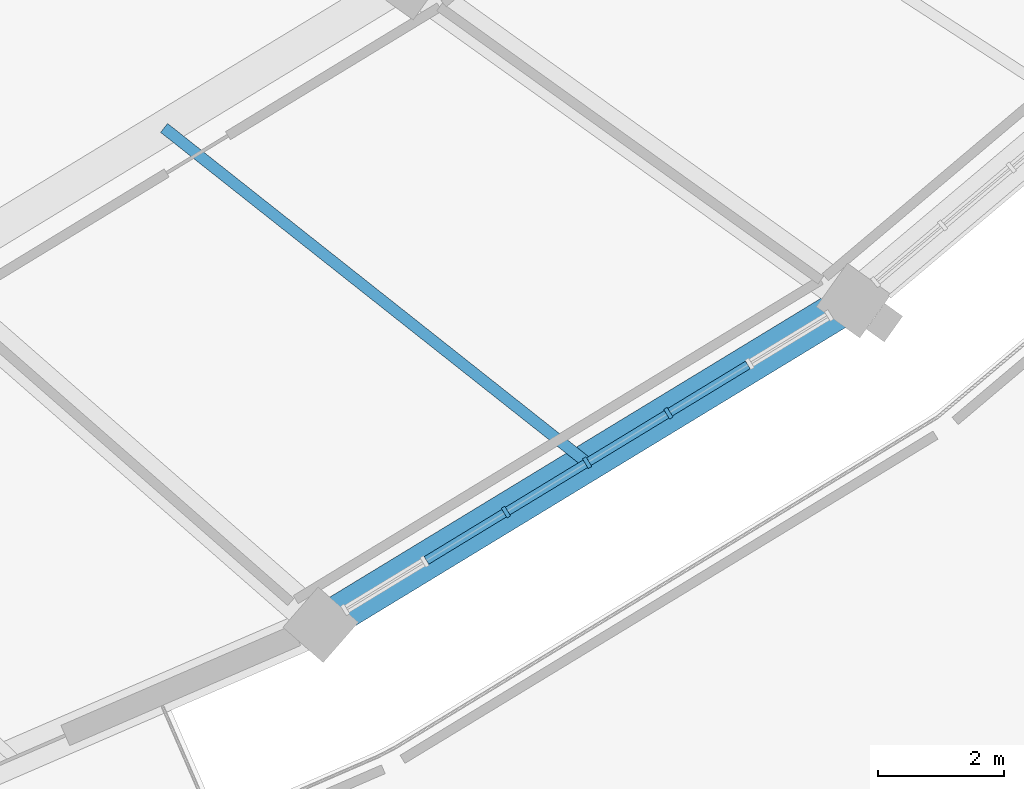
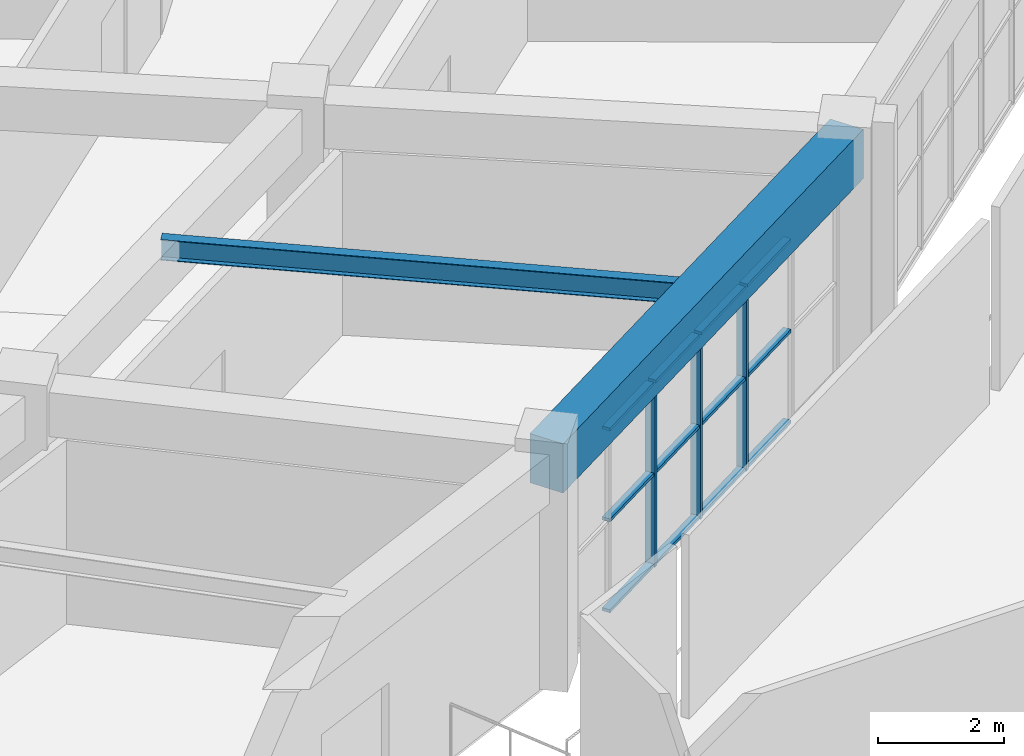
# One storey, part 39 of 152: 15 members, 2 beams, 1 element without a shape of its own.
"""IFC4 building model written with IfcOpenShell, lengths in metres."""

from ifc_helpers import new_model, si_unit, direction, frame, origin, origin_2d, place, context, subcontext, project, spatial, rectangle, i_section, extrude, material, layer, layer_set, material_profile, profile_set, type_object, element, aggregate, save


model = new_model("IFC4")

# Units and contexts
model_context = context("Model", 3, precision=1e-05, world=origin(), true_north=direction((0.0, 1.0)))
body_context = subcontext(model_context, "Body", "Model", "MODEL_VIEW")
ifc_project = project(units=[si_unit("LENGTHUNIT", "METRE"), si_unit("AREAUNIT", "SQUARE_METRE"), si_unit("VOLUMEUNIT", "CUBIC_METRE"), si_unit("PLANEANGLEUNIT", "RADIAN"), si_unit("MASSUNIT", "GRAM", prefix="KILO")], contexts=[model_context])

# Site, building, storey
site_placement = place(None, origin())
site = spatial("IfcSite", under=ifc_project, at=site_placement, CompositionType="ELEMENT")
building_placement = place(site_placement, origin())
building = spatial("IfcBuilding", under=site, at=building_placement, Name="Mphavela Belvedere Stadium", CompositionType="ELEMENT")
storey_placement = place(building_placement, frame((0.0, 0.0, 5.39990234375)))
storey = spatial("IfcBuildingStorey", under=building, at=storey_placement, Name="L01", CompositionType="ELEMENT", Elevation=5.39990234375)

# Beams
ifc_material_1 = material(Name="Concrete C40/50", Category="concrete")
ifc_material_profile_1 = material_profile(ifc_material_1, rectangle(XDim=0.60009765625, YDim=0.949951171875, at=origin_2d()), Name="RC 600x950")
ifc_profile_set_1 = profile_set([ifc_material_profile_1], Name="Concrete C40/50")
beam_type_1 = type_object("IfcBeamType", Name="BM-ENTABLATURE-950", PredefinedType="SPANDREL", material=ifc_profile_set_1)
beam_1_placement = place(storey_placement, frame((185.6962890625, 25.13916015625, 4.0751953125), z_axis=(0.854326607994, 0.51973651678, 0.0), x_axis=(-0.51973651678, 0.854326607994, 0.0)))
element("IfcBeam", 1, at=beam_1_placement, inside=storey, type_object=beam_type_1, Name="Circumferential girder L01 R4-42", PredefinedType="SPANDREL", context=body_context, shape_type="SweptSolid", body=[
    extrude(rectangle(XDim=0.60009765625, YDim=0.949951171875, at=origin_2d()), origin(), (0.0, 0.0, 1.0), 9.901611328125),
])
ifc_material_2 = material(Name="Steel S355", Category="steel")
ifc_material_profile_2 = material_profile(ifc_material_2, i_section(OverallWidth=0.179931640625, OverallDepth=0.39990234375, WebThickness=0.008544921875, FlangeThickness=0.013427734375, at=origin_2d()), Name="IPE 400")
ifc_profile_set_2 = profile_set([ifc_material_profile_2], Name="Steel S355")
beam_type_2 = type_object("IfcBeamType", Name="BM-JOIST-IPE400", PredefinedType="JOIST", material=ifc_profile_set_2)
beam_2_placement = place(storey_placement, frame((183.210693359375, 33.02587890625, 4.35009765625), z_axis=(0.784195537739, -0.620513785979, 0.0), x_axis=(0.620513785979, 0.784195537739, 0.0)))
element("IfcBeam", 2, at=beam_2_placement, inside=storey, type_object=beam_type_2, Name="Concourse floor joist L01-42", PredefinedType="JOIST", context=body_context, shape_type="SweptSolid", body=[
    extrude(i_section(OverallWidth=0.179931640625, OverallDepth=0.39990234375, WebThickness=0.008544921875, FlangeThickness=0.013427734375, at=origin_2d()), origin(), (0.0, 0.0, 1.0), 8.56298828125),
])

# Curtain wall, members
ifc_material_3 = material(Name="Anodised bronze unitised curtain wall framing")
ifc_layer = layer(ifc_material_3, 0.18505859375)
ifc_layer_set = layer_set([ifc_layer], Name="Anodised bronze unitised curtain wall framing")
curtain_wall_type = type_object("IfcCurtainWallType", Name="CW-UNIT-02", PredefinedType="USERDEFINED", material=ifc_layer_set)
curtain_wall_placement = place(storey_placement, origin())
curtain_wall = element("IfcCurtainWall", 3, at=curtain_wall_placement, inside=storey, type_object=curtain_wall_type, Name="Belvedere colonnade curtain wall L01-42", ObjectType="UNITISED CURTAIN WALL", PredefinedType="USERDEFINED")
ifc_material_4 = material(Name="Anodised bronze extruded aluminium", Category="aluminium")
ifc_material_profile_3 = material_profile(ifc_material_4, rectangle(XDim=0.179931640625, YDim=0.06494140625, at=origin_2d()), Name="CW-MUL 180x65")
ifc_profile_set_3 = profile_set([ifc_material_profile_3], Name="Anodised bronze extruded aluminium")
member_type_1 = type_object("IfcMemberType", Name="CWM-180x65", PredefinedType="MULLION", material=ifc_profile_set_3)
member_1_placement = place(storey_placement, frame((188.636474609375, 26.927978515625, 0.0), z_axis=(0.0, 0.0, 1.0), x_axis=(-0.51973463728, 0.8543277514, 0.0)))
member_1 = element("IfcMember", 4, at=member_1_placement, type_object=member_type_1, Name="CW-02 mullion 3", PredefinedType="MULLION", context=body_context, shape_type="SweptSolid", body=[
    extrude(rectangle(XDim=0.179931640625, YDim=0.06494140625, at=origin_2d()), origin(), (0.0, 0.0, 1.0), 3.570068359375),
])
member_2_placement = place(storey_placement, frame((189.92578125, 27.71240234375, 0.0), z_axis=(0.0, 0.0, 1.0), x_axis=(-0.51973463728, 0.8543277514, 0.0)))
member_2 = element("IfcMember", 5, at=member_2_placement, type_object=member_type_1, Name="CW-02 mullion 4", PredefinedType="MULLION", context=body_context, shape_type="SweptSolid", body=[
    extrude(rectangle(XDim=0.179931640625, YDim=0.06494140625, at=origin_2d()), origin(), (0.0, 0.0, 1.0), 3.570068359375),
])
member_3_placement = place(storey_placement, frame((191.21533203125, 28.496826171875, 0.0), z_axis=(0.0, 0.0, 1.0), x_axis=(-0.51973463728, 0.8543277514, 0.0)))
member_3 = element("IfcMember", 6, at=member_3_placement, type_object=member_type_1, Name="CW-02 mullion 5", PredefinedType="MULLION", context=body_context, shape_type="SweptSolid", body=[
    extrude(rectangle(XDim=0.179931640625, YDim=0.06494140625, at=origin_2d()), origin(), (0.0, 0.0, 1.0), 3.570068359375),
])
ifc_material_5 = material(Name="Anodised bronze extruded aluminium", Category="aluminium")
ifc_material_profile_4 = material_profile(ifc_material_5, rectangle(XDim=0.139892578125, YDim=0.06005859375, at=origin_2d()), Name="CW-TRN 140x60")
ifc_profile_set_4 = profile_set([ifc_material_profile_4], Name="Anodised bronze extruded aluminium")
member_type_2 = type_object("IfcMemberType", Name="CWT-140x60", PredefinedType="USERDEFINED", material=ifc_profile_set_4)
member_4_placement = place(storey_placement, frame((187.374755859375, 26.160400390625, 0.030029296875), z_axis=(0.85437478406, 0.519657318203, 0.0), x_axis=(-0.519657318203, 0.85437478406, 0.0)))
member_4 = element("IfcMember", 7, at=member_4_placement, type_object=member_type_2, Name="CW-02 transom 2.1", ObjectType="TRANSOM", PredefinedType="USERDEFINED", context=body_context, shape_type="SweptSolid", body=[
    extrude(rectangle(XDim=0.139892578125, YDim=0.06005859375, at=origin_2d()), origin(), (0.0, 0.0, 1.0), 1.444091796875),
])
member_5_placement = place(storey_placement, frame((187.374755859375, 26.160400390625, 1.78515625), z_axis=(0.85437478406, 0.519657318203, 0.0), x_axis=(-0.519657318203, 0.85437478406, 0.0)))
member_5 = element("IfcMember", 8, at=member_5_placement, type_object=member_type_2, Name="CW-02 transom 2.2", ObjectType="TRANSOM", PredefinedType="USERDEFINED", context=body_context, shape_type="SweptSolid", body=[
    extrude(rectangle(XDim=0.139892578125, YDim=0.06005859375, at=origin_2d()), origin(), (0.0, 0.0, 1.0), 1.444091796875),
])
member_6_placement = place(storey_placement, frame((187.374755859375, 26.160400390625, 3.5400390625), z_axis=(0.85437478406, 0.519657318203, 0.0), x_axis=(-0.519657318203, 0.85437478406, 0.0)))
member_6 = element("IfcMember", 9, at=member_6_placement, type_object=member_type_2, Name="CW-02 transom 2.3", ObjectType="TRANSOM", PredefinedType="USERDEFINED", context=body_context, shape_type="SweptSolid", body=[
    extrude(rectangle(XDim=0.139892578125, YDim=0.06005859375, at=origin_2d()), origin(), (0.0, 0.0, 1.0), 1.444091796875),
])
member_7_placement = place(storey_placement, frame((188.664306640625, 26.94482421875, 0.030029296875), z_axis=(0.85437478406, 0.519657318203, 0.0), x_axis=(-0.519657318203, 0.85437478406, 0.0)))
member_7 = element("IfcMember", 10, at=member_7_placement, type_object=member_type_2, Name="CW-02 transom 3.1", ObjectType="TRANSOM", PredefinedType="USERDEFINED", context=body_context, shape_type="SweptSolid", body=[
    extrude(rectangle(XDim=0.139892578125, YDim=0.06005859375, at=origin_2d()), origin(), (0.0, 0.0, 1.0), 1.444091796875),
])
member_8_placement = place(storey_placement, frame((188.664306640625, 26.94482421875, 1.78515625), z_axis=(0.85437478406, 0.519657318203, 0.0), x_axis=(-0.519657318203, 0.85437478406, 0.0)))
member_8 = element("IfcMember", 11, at=member_8_placement, type_object=member_type_2, Name="CW-02 transom 3.2", ObjectType="TRANSOM", PredefinedType="USERDEFINED", context=body_context, shape_type="SweptSolid", body=[
    extrude(rectangle(XDim=0.139892578125, YDim=0.06005859375, at=origin_2d()), origin(), (0.0, 0.0, 1.0), 1.444091796875),
])
member_9_placement = place(storey_placement, frame((188.664306640625, 26.94482421875, 3.5400390625), z_axis=(0.85437478406, 0.519657318203, 0.0), x_axis=(-0.519657318203, 0.85437478406, 0.0)))
member_9 = element("IfcMember", 12, at=member_9_placement, type_object=member_type_2, Name="CW-02 transom 3.3", ObjectType="TRANSOM", PredefinedType="USERDEFINED", context=body_context, shape_type="SweptSolid", body=[
    extrude(rectangle(XDim=0.139892578125, YDim=0.06005859375, at=origin_2d()), origin(), (0.0, 0.0, 1.0), 1.444091796875),
])
member_10_placement = place(storey_placement, frame((189.95361328125, 27.729248046875, 0.030029296875), z_axis=(0.85437478406, 0.519657318203, 0.0), x_axis=(-0.519657318203, 0.85437478406, 0.0)))
member_10 = element("IfcMember", 13, at=member_10_placement, type_object=member_type_2, Name="CW-02 transom 4.1", ObjectType="TRANSOM", PredefinedType="USERDEFINED", context=body_context, shape_type="SweptSolid", body=[
    extrude(rectangle(XDim=0.139892578125, YDim=0.06005859375, at=origin_2d()), origin(), (0.0, 0.0, 1.0), 1.444091796875),
])
member_11_placement = place(storey_placement, frame((189.95361328125, 27.729248046875, 1.78515625), z_axis=(0.85437478406, 0.519657318203, 0.0), x_axis=(-0.519657318203, 0.85437478406, 0.0)))
member_11 = element("IfcMember", 14, at=member_11_placement, type_object=member_type_2, Name="CW-02 transom 4.2", ObjectType="TRANSOM", PredefinedType="USERDEFINED", context=body_context, shape_type="SweptSolid", body=[
    extrude(rectangle(XDim=0.139892578125, YDim=0.06005859375, at=origin_2d()), origin(), (0.0, 0.0, 1.0), 1.444091796875),
])
member_12_placement = place(storey_placement, frame((189.95361328125, 27.729248046875, 3.5400390625), z_axis=(0.85437478406, 0.519657318203, 0.0), x_axis=(-0.519657318203, 0.85437478406, 0.0)))
member_12 = element("IfcMember", 15, at=member_12_placement, type_object=member_type_2, Name="CW-02 transom 4.3", ObjectType="TRANSOM", PredefinedType="USERDEFINED", context=body_context, shape_type="SweptSolid", body=[
    extrude(rectangle(XDim=0.139892578125, YDim=0.06005859375, at=origin_2d()), origin(), (0.0, 0.0, 1.0), 1.444091796875),
])
member_13_placement = place(storey_placement, frame((191.2431640625, 28.513671875, 0.030029296875), z_axis=(0.85437478406, 0.519657318203, 0.0), x_axis=(-0.519657318203, 0.85437478406, 0.0)))
member_13 = element("IfcMember", 16, at=member_13_placement, type_object=member_type_2, Name="CW-02 transom 5.1", ObjectType="TRANSOM", PredefinedType="USERDEFINED", context=body_context, shape_type="SweptSolid", body=[
    extrude(rectangle(XDim=0.139892578125, YDim=0.06005859375, at=origin_2d()), origin(), (0.0, 0.0, 1.0), 1.444091796875),
])
member_14_placement = place(storey_placement, frame((191.2431640625, 28.513671875, 1.78515625), z_axis=(0.85437478406, 0.519657318203, 0.0), x_axis=(-0.519657318203, 0.85437478406, 0.0)))
member_14 = element("IfcMember", 17, at=member_14_placement, type_object=member_type_2, Name="CW-02 transom 5.2", ObjectType="TRANSOM", PredefinedType="USERDEFINED", context=body_context, shape_type="SweptSolid", body=[
    extrude(rectangle(XDim=0.139892578125, YDim=0.06005859375, at=origin_2d()), origin(), (0.0, 0.0, 1.0), 1.444091796875),
])
member_15_placement = place(storey_placement, frame((191.2431640625, 28.513671875, 3.5400390625), z_axis=(0.85437478406, 0.519657318203, 0.0), x_axis=(-0.519657318203, 0.85437478406, 0.0)))
member_15 = element("IfcMember", 18, at=member_15_placement, type_object=member_type_2, Name="CW-02 transom 5.3", ObjectType="TRANSOM", PredefinedType="USERDEFINED", context=body_context, shape_type="SweptSolid", body=[
    extrude(rectangle(XDim=0.139892578125, YDim=0.06005859375, at=origin_2d()), origin(), (0.0, 0.0, 1.0), 1.444091796875),
])
aggregate(curtain_wall, [member_1, member_2, member_3, member_4, member_5, member_6, member_7, member_8, member_9, member_10, member_11, member_12, member_13, member_14, member_15])

save(model, "model.ifc")
